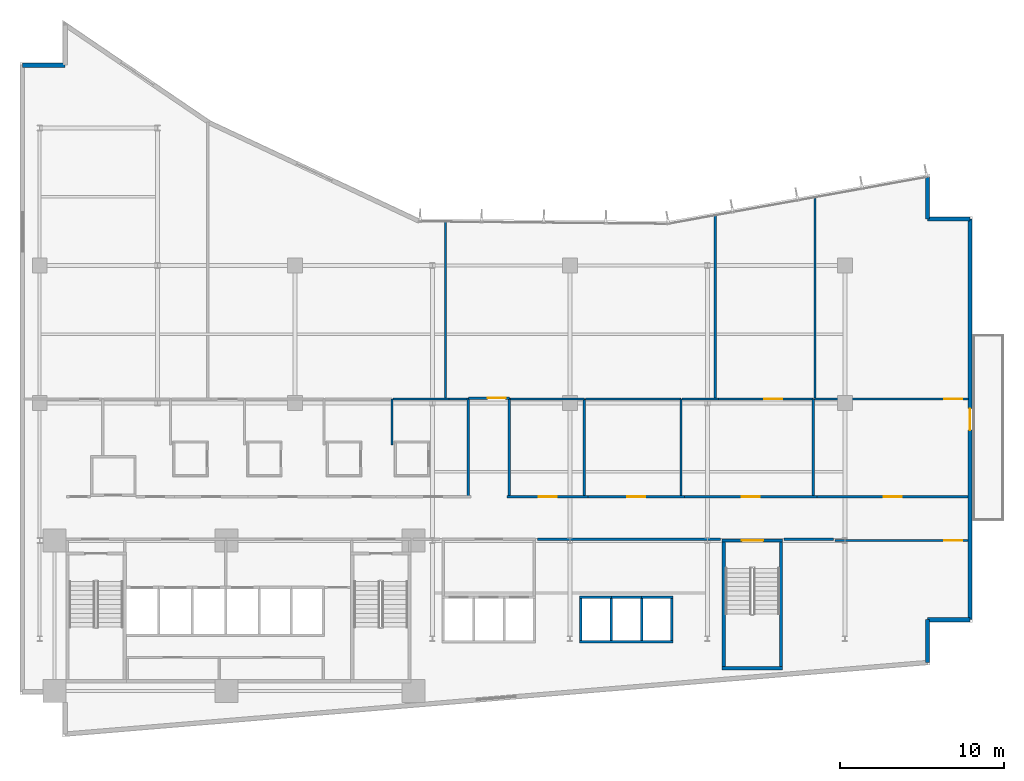
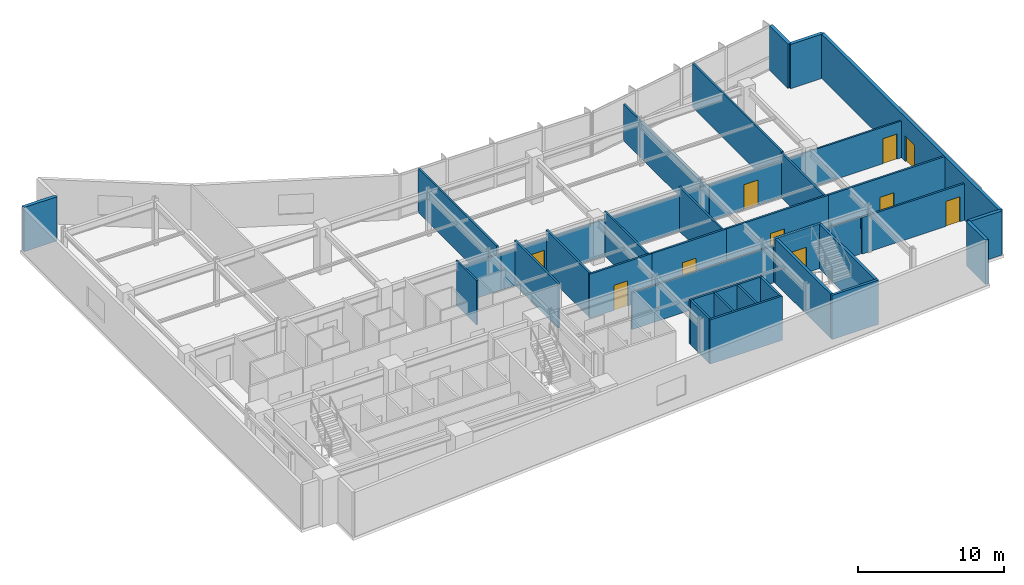
# One storey, part 12 of 18: 42 walls, 10 doors, 10 openings.
"""IFC4 building model written with IfcOpenShell, lengths in metres."""

import ifcopenshell
import ifcopenshell.guid

model = None  # the IFC model being written
_history = None  # IfcOwnerHistory: only IFC2X3 demands one
_inside = {}  # id of a spatial element -> (the spatial element, [elements in it])
_under = {}  # id of a project, library or spatial element -> (it, [spatial elements below it])
_declared = {}  # id of a project -> (the project, [libraries it declares])
_typed = {}  # id of a type object -> (the type object, [elements of that type])
_made_of = {}  # id of a material, layer set ... -> (it, [elements and type objects made of it])


def new_model(schema):
    """Start an empty IFC model of exactly this schema.

    Asked for "IFC4X3", IfcOpenShell would pick the latest addendum, in which some entities
    have other attributes; the version numbers below select the first issue.
    IFC2X3 requires an IfcOwnerHistory on every rooted entity: one is made here for all.
    """
    global model, _history
    if schema == "IFC4X3":
        model = ifcopenshell.file(schema_version=(4, 3, 0, 0))
    else:
        model = ifcopenshell.file(schema=schema)
    _inside.clear()
    _under.clear()
    _declared.clear()
    _typed.clear()
    _made_of.clear()
    _history = None
    if model.schema == "IFC2X3":
        org = make("IfcOrganization", Name="unknown")
        user = make(
            "IfcPersonAndOrganization",
            ThePerson=make("IfcPerson", FamilyName="unknown"),
            TheOrganization=org,
        )
        app = make(
            "IfcApplication",
            ApplicationDeveloper=org,
            Version="unknown",
            ApplicationFullName="unknown",
            ApplicationIdentifier="unknown",
        )
        _history = make(
            "IfcOwnerHistory",
            OwningUser=user,
            OwningApplication=app,
            ChangeAction="ADDED",
            CreationDate=0,
        )
    return model


def make(cls, **values):
    """One entity of the class cls with the attributes given. An attribute that is None is left unset."""
    return model.create_entity(
        cls, **{name: value for name, value in values.items() if value is not None}
    )


def rooted(cls, **values):
    """An entity with a GlobalId (a new one), such as an element, a storey or a relation."""
    return make(cls, GlobalId=ifcopenshell.guid.new(), OwnerHistory=_history, **values)


def si_unit(unit_type, name, prefix=None):
    """IfcSIUnit, for example si_unit("LENGTHUNIT", "METRE", prefix="MILLI")."""
    return make("IfcSIUnit", UnitType=unit_type, Prefix=prefix, Name=name)


def assignment(units):
    """IfcUnitAssignment: the units of a project."""
    return None if units is None else make("IfcUnitAssignment", Units=units)


def point(xyz):
    """IfcCartesianPoint."""
    return None if xyz is None else make("IfcCartesianPoint", Coordinates=xyz)


def direction(xyz):
    """IfcDirection."""
    return None if xyz is None else make("IfcDirection", DirectionRatios=xyz)


def frame(location, z_axis=None, x_axis=None):
    """IfcAxis2Placement3D, a coordinate frame: its origin and axes. An axis left out is left unset."""
    return make(
        "IfcAxis2Placement3D",
        Location=point(location),
        Axis=direction(z_axis),
        RefDirection=direction(x_axis),
    )


def frame_2d(location, x_axis=None):
    """IfcAxis2Placement2D, a coordinate frame in the plane: its origin and x axis."""
    return make(
        "IfcAxis2Placement2D", Location=point(location), RefDirection=direction(x_axis)
    )


def origin():
    """The frame at (0, 0, 0) with its axes left unset."""
    return frame((0.0, 0.0, 0.0))


def place(relative_to, where):
    """IfcLocalPlacement: puts the frame where relative to a parent placement (None: the world)."""
    return make(
        "IfcLocalPlacement", PlacementRelTo=relative_to, RelativePlacement=where
    )


def context(
    kind, dimensions, precision=None, world=None, true_north=None, identifier=None
):
    """IfcGeometricRepresentationContext, for example the 3D "Model" context."""
    return make(
        "IfcGeometricRepresentationContext",
        ContextIdentifier=identifier,
        ContextType=kind,
        CoordinateSpaceDimension=dimensions,
        Precision=precision,
        WorldCoordinateSystem=world,
        TrueNorth=true_north,
    )


def subcontext(parent, identifier, kind, view, scale=None):
    """IfcGeometricRepresentationSubContext, for example "Body" below "Model"."""
    return make(
        "IfcGeometricRepresentationSubContext",
        ContextIdentifier=identifier,
        ContextType=kind,
        ParentContext=parent,
        TargetScale=scale,
        TargetView=view,
    )


def project(units=None, contexts=None):
    """IfcProject with its units and contexts."""
    return rooted(
        "IfcProject",
        Name="project",
        RepresentationContexts=contexts,
        UnitsInContext=assignment(units),
    )


def spatial(cls, under=None, at=None, **own):
    """A site, building, storey or space (cls), placed at a placement, below another one or the project."""
    s = rooted(cls, ObjectPlacement=at, **own)
    if under is not None:
        _under.setdefault(under.id(), (under, []))[1].append(s)
    return s


def profile(cls, at=None, kind="AREA", **sizes):
    """A parametric profile (cls). Its sizes go by their IFC names, for example OverallWidth=200.0."""
    return make(cls, ProfileType=kind, Position=at, **sizes)


def rectangle(**sizes):
    """IfcRectangleProfileDef."""
    return profile("IfcRectangleProfileDef", **sizes)


def extrude(swept, where, along, depth):
    """IfcExtrudedAreaSolid: the profile swept, set in the frame where, extruded along a direction by depth."""
    return make(
        "IfcExtrudedAreaSolid",
        SweptArea=swept,
        Position=where,
        ExtrudedDirection=direction(along),
        Depth=depth,
    )


def shape(context_of_items, identifier, shape_type, items):
    """IfcShapeRepresentation: the items that make up one representation, for example the "Body"."""
    return make(
        "IfcShapeRepresentation",
        ContextOfItems=context_of_items,
        RepresentationIdentifier=identifier,
        RepresentationType=shape_type,
        Items=items,
    )


def material(Name=None, Category=None):
    """IfcMaterial."""
    return make("IfcMaterial", Name=Name, Category=Category)


def layer(
    of_material, thickness, ventilated=None, Name=None, Category=None, Priority=None
):
    """IfcMaterialLayer: one layer of a wall or slab, of a material (None: an air gap)."""
    return make(
        "IfcMaterialLayer",
        Material=of_material,
        LayerThickness=thickness,
        IsVentilated=ventilated,
        Name=Name,
        Category=Category,
        Priority=Priority,
    )


def layer_set(layers, Name=None):
    """IfcMaterialLayerSet."""
    return make("IfcMaterialLayerSet", MaterialLayers=layers, LayerSetName=Name)


def made_of(thing, what):
    """Note that an element or type object is made of a material, layer set ...; save() writes the relation."""
    if what is not None:
        _made_of.setdefault(what.id(), (what, []))[1].append(thing)
    return thing


def type_object(cls, material=None, **own):
    """A type object (cls), such as IfcWallType, which elements share."""
    return made_of(rooted(cls, **own), material)


def element(
    cls,
    number,
    at=None,
    inside=None,
    cuts=None,
    type_object=None,
    material=None,
    context=None,
    identifier="Body",
    shape_type=None,
    held_by="IfcProductDefinitionShape",
    body=None,
    shapes=None,
    **own,
):
    """One element of the class cls, such as IfcWall. Its Tag is "e" and its number.

    at: its placement. inside: the storey or other place that contains it. cuts: it is an
    opening in that element (IfcRelVoidsElement). A single representation is given by context,
    identifier, shape_type and body (its items); several are given by shapes. held_by: the class
    of the entity that holds the representations. save() writes the other relations.
    """
    e = rooted(cls, Tag="e%d" % number, ObjectPlacement=at, **own)
    if body is not None:
        shapes = [shape(context, identifier, shape_type, body)]
    if shapes is not None:
        e.Representation = make(held_by, Representations=shapes)
    if inside is not None:
        _inside.setdefault(inside.id(), (inside, []))[1].append(e)
    if cuts is not None:
        rooted(
            "IfcRelVoidsElement", RelatingBuildingElement=cuts, RelatedOpeningElement=e
        )
    if type_object is not None:
        _typed.setdefault(type_object.id(), (type_object, []))[1].append(e)
    return made_of(e, material)


def fill(opening, filler):
    """IfcRelFillsElement: the door or window that sits in an opening."""
    return rooted(
        "IfcRelFillsElement",
        RelatingOpeningElement=opening,
        RelatedBuildingElement=filler,
    )


def aggregate(whole, parts):
    """IfcRelAggregates: a whole, such as a stair, and the parts it consists of."""
    return rooted("IfcRelAggregates", RelatingObject=whole, RelatedObjects=parts)


def save(model, path):
    """Write the relations noted so far, then the file.

    IfcRelAggregates (storeys below a building ...), IfcRelContainedInSpatialStructure (elements
    in a storey), IfcRelDefinesByType, IfcRelAssociatesMaterial and IfcRelDeclares: one each for
    every whole, place, type object, material and project.
    """
    for whole, parts in _under.values():
        aggregate(whole, parts)
    for where, things in _inside.values():
        rooted(
            "IfcRelContainedInSpatialStructure",
            RelatedElements=things,
            RelatingStructure=where,
        )
    for kind, things in _typed.values():
        rooted("IfcRelDefinesByType", RelatedObjects=things, RelatingType=kind)
    for what, things in _made_of.values():
        rooted("IfcRelAssociatesMaterial", RelatedObjects=things, RelatingMaterial=what)
    for by, libraries in _declared.values():
        rooted("IfcRelDeclares", RelatingContext=by, RelatedDefinitions=libraries)
    model.write(path)


model = new_model("IFC4")

# Units and contexts
model_context = context("Model", 3, precision=1e-05, world=origin(), true_north=direction((0.0, 1.0)))
body_context = subcontext(model_context, "Body", "Model", "MODEL_VIEW")
ifc_project = project(units=[si_unit("LENGTHUNIT", "METRE"), si_unit("AREAUNIT", "SQUARE_METRE"), si_unit("VOLUMEUNIT", "CUBIC_METRE"), si_unit("PLANEANGLEUNIT", "RADIAN"), si_unit("MASSUNIT", "GRAM", prefix="KILO")], contexts=[model_context])

# Site, building, storey
site_placement = place(None, origin())
site = spatial("IfcSite", under=ifc_project, at=site_placement, CompositionType="ELEMENT")
building_placement = place(site_placement, origin())
building = spatial("IfcBuilding", under=site, at=building_placement, Name="Varnakote Quay Hospital", CompositionType="ELEMENT")
storey_placement = place(building_placement, frame((0.0, 0.0, 73.85009765625)))
storey = spatial("IfcBuildingStorey", under=building, at=storey_placement, Name="L18", CompositionType="ELEMENT", Elevation=73.85009765625)

# Walls
ifc_material_1 = material(Name="Fire-rated acoustic gypsum stud wall", Category="gypsum")
ifc_layer_1 = layer(ifc_material_1, 0.159912109375)
ifc_layer_set_1 = layer_set([ifc_layer_1], Name="Fire-rated acoustic gypsum stud wall")
wall_type_1 = type_object("IfcWallType", Name="WL-COMP-160", PredefinedType="PARTITIONING", material=ifc_layer_set_1)
wall_1_placement = place(storey_placement, frame((31.6298828125, 12.080078125, 0.0), z_axis=(0.0, 0.0, 1.0), x_axis=(1.0, 0.0, 0.0)))
element("IfcWall", 1, at=wall_1_placement, inside=storey, type_object=wall_type_1, Name="L18 Corridor South Gap Wall", PredefinedType="PARTITIONING", context=body_context, shape_type="SweptSolid", body=[
    extrude(rectangle(XDim=11.180908203125, YDim=0.159912109375, at=frame_2d((5.59033203125, 0.0))), origin(), (0.0, 0.0, 1.0), 3.072998046875),
])
wall_2_placement = place(storey_placement, frame((46.689208984375, 12.080078125, 0.0), z_axis=(0.0, 0.0, 1.0), x_axis=(1.0, 0.0, 0.0)))
element("IfcWall", 2, at=wall_2_placement, inside=storey, type_object=wall_type_1, Name="L18 Corridor South Gap Wall", PredefinedType="PARTITIONING", context=body_context, shape_type="SweptSolid", body=[
    extrude(rectangle(XDim=3.0107421875, YDim=0.159912109375, at=frame_2d((1.50537109375, 0.0))), origin(), (0.0, 0.0, 1.0), 3.072998046875),
])
ifc_material_2 = material(Name="Precast concrete N50 (f'c 50 MPa)", Category="concrete")
ifc_layer_2 = layer(ifc_material_2, 0.260009765625)
ifc_layer_set_2 = layer_set([ifc_layer_2], Name="Precast concrete N50 (f'c 50 MPa)")
wall_type_2 = type_object("IfcWallType", Name="WL-EXT-BRICK-260", PredefinedType="STANDARD", material=ifc_layer_set_2)
wall_3_placement = place(storey_placement, frame((55.43994140625, 4.54736328125, 0.0), z_axis=(0.0, 0.0, 1.0), x_axis=(0.0, 1.0, 0.0)))
element("IfcWall", 3, at=wall_3_placement, inside=storey, type_object=wall_type_2, Name="L18 Brick-Faced Precast Exterior Wall", PredefinedType="STANDARD", context=body_context, shape_type="SweptSolid", body=[
    extrude(rectangle(XDim=2.612548828125, YDim=0.260009765625, at=frame_2d((1.30615234375, 0.0))), origin(), (0.0, 0.0, 1.0), 3.7099609375),
])
wall_4_placement = place(storey_placement, frame((55.43994140625, 7.159912109375, 0.0), z_axis=(0.0, 0.0, 1.0), x_axis=(1.0, 0.0, 0.0)))
element("IfcWall", 4, at=wall_4_placement, inside=storey, type_object=wall_type_2, Name="L18 Brick-Faced Precast Exterior Wall", PredefinedType="STANDARD", context=body_context, shape_type="SweptSolid", body=[
    extrude(rectangle(XDim=2.60009765625, YDim=0.260009765625, at=frame_2d((1.300048828125, 0.0))), origin(), (0.0, 0.0, 1.0), 3.7099609375),
])

# Wall, opening, door
wall_5_placement = place(storey_placement, frame((58.0400390625, 7.159912109375, 0.0), z_axis=(0.0, 0.0, 1.0), x_axis=(0.0, 1.0, 0.0)))
wall_5 = element("IfcWall", 5, at=wall_5_placement, inside=storey, type_object=wall_type_2, Name="L18 Healing Terrace Portal Brick Wall", PredefinedType="STANDARD", context=body_context, shape_type="SweptSolid", body=[
    extrude(rectangle(XDim=24.47998046875, YDim=0.260009765625, at=frame_2d((12.239990234375, 0.0))), origin(), (0.0, 0.0, 1.0), 3.7099609375),
])
opening_1_placement = place(wall_5_placement, frame((11.590087890625, 0.0, 0.0)))
opening_1 = element("IfcOpeningElement", 6, at=opening_1_placement, cuts=wall_5, Name="Opening DT-L18", PredefinedType="OPENING", context=body_context, shape_type="SweptSolid", body=[
    extrude(rectangle(XDim=1.300048828125, YDim=2.14990234375, at=frame_2d((0.64990234375, 1.074951171875))), frame((0.0, 0.139892578125, 0.0), z_axis=(0.0, -1.0, 0.0), x_axis=(1.0, 0.0, 0.0)), (0.0, 0.0, 1.0), 0.280029296875),
])
ifc_material_3 = material(Name="Anodised aluminium glazed terrace door", Category="aluminium")
door_type_1 = type_object("IfcDoorType", Name="DR-EXT-TERR-1300x2150", OperationType="NOTDEFINED", PredefinedType="DOOR", material=ifc_material_3)
door_1_placement = place(opening_1_placement, origin())
door_1 = element("IfcDoor", 7, at=door_1_placement, inside=storey, type_object=door_type_1, Name="L18 Waterfront Healing Terrace Door", OperationType="SINGLE_SWING_LEFT", OverallHeight=2.14990234375, OverallWidth=1.300048828125, PredefinedType="DOOR", context=body_context, shape_type="SweptSolid", body=[
    extrude(rectangle(XDim=1.300048828125, YDim=2.14990234375, at=frame_2d((0.64990234375, 1.074951171875))), frame((0.0, 0.02490234375, 0.0), z_axis=(0.0, -1.0, 0.0), x_axis=(1.0, 0.0, 0.0)), (0.0, 0.0, 1.0), 0.050048828125),
])
fill(opening_1, door_1)

# Walls
wall_6_placement = place(storey_placement, frame((58.0400390625, 31.639892578125, 0.0), z_axis=(0.0, 0.0, 1.0), x_axis=(-1.0, 0.0, 0.0)))
element("IfcWall", 8, at=wall_6_placement, inside=storey, type_object=wall_type_2, Name="L18 Brick-Faced Precast Exterior Wall", PredefinedType="STANDARD", context=body_context, shape_type="SweptSolid", body=[
    extrude(rectangle(XDim=2.60009765625, YDim=0.260009765625, at=frame_2d((1.300048828125, 0.0))), origin(), (0.0, 0.0, 1.0), 3.7099609375),
])
wall_7_placement = place(storey_placement, frame((55.43994140625, 31.639892578125, 0.0), z_axis=(0.0, 0.0, 1.0), x_axis=(0.0, 1.0, 0.0)))
element("IfcWall", 9, at=wall_7_placement, inside=storey, type_object=wall_type_2, Name="L18 Brick-Faced Precast Exterior Wall", PredefinedType="STANDARD", context=body_context, shape_type="SweptSolid", body=[
    extrude(rectangle(XDim=2.568603515625, YDim=0.260009765625, at=frame_2d((1.2841796875, 0.0))), origin(), (0.0, 0.0, 1.0), 3.7099609375),
])
wall_8_placement = place(storey_placement, frame((2.760009765625, 41.0400390625, 0.0), z_axis=(0.0, 0.0, 1.0), x_axis=(-1.0, 0.0, 0.0)))
element("IfcWall", 10, at=wall_8_placement, inside=storey, type_object=wall_type_2, Name="L18 Brick-Faced Precast Exterior Wall", PredefinedType="STANDARD", context=body_context, shape_type="SweptSolid", body=[
    extrude(rectangle(XDim=2.60009765625, YDim=0.260009765625, at=frame_2d((1.300048828125, 0.0))), origin(), (0.0, 0.0, 1.0), 3.7099609375),
])
ifc_material_4 = material(Name="Concrete N50 (f'c 50 MPa)", Category="concrete")
ifc_layer_3 = layer(ifc_material_4, 0.14990234375)
ifc_layer_set_3 = layer_set([ifc_layer_3], Name="Concrete N50 (f'c 50 MPa)")
wall_type_3 = type_object("IfcWallType", Name="WL-SHAFT-N50-150", PredefinedType="SHEAR", material=ifc_layer_set_3)
for number, where, z_axis, x_axis, name in (
    (11, (36.125, 5.89990234375, 0.0), (0.0, 0.0, 1.0), (0.0, 1.0, 0.0), "L18 LF-PM1 Hoistway Divider Wall"),
    (12, (37.97509765625, 5.89990234375, 0.0), (0.0, 0.0, 1.0), (0.0, 1.0, 0.0), "L18 LF-PM2 Hoistway Divider Wall"),
):
    element("IfcWall", number, at=place(storey_placement, frame(where, z_axis=z_axis, x_axis=x_axis)), inside=storey, type_object=wall_type_3, Name=name, PredefinedType="SHEAR", context=body_context, shape_type="SweptSolid", body=[
        extrude(rectangle(XDim=2.550048828125, YDim=0.14990234375, at=frame_2d((1.27490234375, 0.0))), origin(), (0.0, 0.0, 1.0), 3.7099609375),
    ])
ifc_material_5 = material(Name="Concrete N50 (f'c 50 MPa)", Category="concrete")
ifc_layer_4 = layer(ifc_material_5, 0.159912109375)
ifc_layer_set_4 = layer_set([ifc_layer_4], Name="Concrete N50 (f'c 50 MPa)")
wall_type_4 = type_object("IfcWallType", Name="WL-SHAFT-N50-160", PredefinedType="SHEAR", material=ifc_layer_set_4)
wall_9_placement = place(storey_placement, frame((34.18994140625, 5.820068359375, 0.0), z_axis=(0.0, 0.0, 1.0), x_axis=(1.0, 0.0, 0.0)))
element("IfcWall", 13, at=wall_9_placement, inside=storey, type_object=wall_type_4, Name="L18 MID Lift Bank Back Shear Wall", PredefinedType="SHEAR", context=body_context, shape_type="SweptSolid", body=[
    extrude(rectangle(XDim=5.719970703125, YDim=0.159912109375, at=frame_2d((2.85986328125, 0.0))), origin(), (0.0, 0.0, 1.0), 3.7099609375),
])
for number, where, z_axis, x_axis, name in (
    (14, (34.27001953125, 5.89990234375, 0.0), (0.0, 0.0, 1.0), (0.0, 1.0, 0.0), "L18 MID Lift Bank West Shear Wall"),
    (15, (39.830078125, 5.89990234375, 0.0), (0.0, 0.0, 1.0), (0.0, 1.0, 0.0), "L18 MID Lift Bank East Shear Wall"),
):
    element("IfcWall", number, at=place(storey_placement, frame(where, z_axis=z_axis, x_axis=x_axis)), inside=storey, type_object=wall_type_4, Name=name, PredefinedType="SHEAR", context=body_context, shape_type="SweptSolid", body=[
        extrude(rectangle(XDim=2.550048828125, YDim=0.159912109375, at=frame_2d((1.27490234375, 0.0))), origin(), (0.0, 0.0, 1.0), 3.7099609375),
    ])
wall_10_placement = place(storey_placement, frame((34.18994140625, 8.530029296875, 0.0), z_axis=(0.0, 0.0, 1.0), x_axis=(1.0, 0.0, 0.0)))
element("IfcWall", 16, at=wall_10_placement, inside=storey, type_object=wall_type_4, Name="L18 LF-PM1 Hoistway Front Wall", PredefinedType="SHEAR", context=body_context, shape_type="SweptSolid", body=[
    extrude(rectangle(XDim=1.93505859375, YDim=0.159912109375, at=frame_2d((0.967529296875, 0.0))), origin(), (0.0, 0.0, 1.0), 3.7099609375),
])
wall_11_placement = place(storey_placement, frame((36.125, 8.530029296875, 0.0), z_axis=(0.0, 0.0, 1.0), x_axis=(1.0, 0.0, 0.0)))
element("IfcWall", 17, at=wall_11_placement, inside=storey, type_object=wall_type_4, Name="L18 LF-PM2 Hoistway Front Wall", PredefinedType="SHEAR", context=body_context, shape_type="SweptSolid", body=[
    extrude(rectangle(XDim=1.85009765625, YDim=0.159912109375, at=frame_2d((0.925048828125, 0.0))), origin(), (0.0, 0.0, 1.0), 3.7099609375),
])
wall_12_placement = place(storey_placement, frame((37.97509765625, 8.530029296875, 0.0), z_axis=(0.0, 0.0, 1.0), x_axis=(1.0, 0.0, 0.0)))
element("IfcWall", 18, at=wall_12_placement, inside=storey, type_object=wall_type_4, Name="L18 LF-PM3 Hoistway Front Wall", PredefinedType="SHEAR", context=body_context, shape_type="SweptSolid", body=[
    extrude(rectangle(XDim=1.934814453125, YDim=0.159912109375, at=frame_2d((0.96728515625, 0.0))), origin(), (0.0, 0.0, 1.0), 3.7099609375),
])
ifc_material_6 = material(Name="Concrete N50 (f'c 50 MPa)", Category="concrete")
ifc_layer_5 = layer(ifc_material_6, 0.199951171875)
ifc_layer_set_5 = layer_set([ifc_layer_5], Name="Concrete N50 (f'c 50 MPa)")
wall_type_5 = type_object("IfcWallType", Name="WL-SHAFT-N50-200", PredefinedType="SHEAR", material=ifc_layer_set_5)
wall_13_placement = place(storey_placement, frame((42.89990234375, 4.199951171875, 0.0), z_axis=(0.0, 0.0, 1.0), x_axis=(1.0, 0.0, 0.0)))
element("IfcWall", 19, at=wall_13_placement, inside=storey, type_object=wall_type_5, Name="L18 Stair ST3 South Shaft Wall", PredefinedType="SHEAR", context=body_context, shape_type="SweptSolid", body=[
    extrude(rectangle(XDim=3.7001953125, YDim=0.199951171875, at=frame_2d((1.85009765625, 0.0))), origin(), (0.0, 0.0, 1.0), 3.7099609375),
])
for number, where, z_axis, x_axis, name in (
    (20, (43.0, 4.300048828125, 0.0), (0.0, 0.0, 1.0), (0.0, 1.0, 0.0), "L18 Stair ST3 West Shaft Wall"),
    (21, (46.5, 4.300048828125, 0.0), (0.0, 0.0, 1.0), (0.0, 1.0, 0.0), "L18 Stair ST3 East Shaft Wall"),
):
    element("IfcWall", number, at=place(storey_placement, frame(where, z_axis=z_axis, x_axis=x_axis)), inside=storey, type_object=wall_type_5, Name=name, PredefinedType="SHEAR", context=body_context, shape_type="SweptSolid", body=[
        extrude(rectangle(XDim=7.599853515625, YDim=0.199951171875, at=frame_2d((3.7998046875, 0.0))), origin(), (0.0, 0.0, 1.0), 3.7099609375),
    ])

# Wall, opening, door
wall_14_placement = place(storey_placement, frame((42.89990234375, 12.0, 0.0), z_axis=(0.0, 0.0, 1.0), x_axis=(1.0, 0.0, 0.0)))
wall_14 = element("IfcWall", 22, at=wall_14_placement, inside=storey, type_object=wall_type_5, Name="L18 Stair ST3 Exit Wall", PredefinedType="SHEAR", context=body_context, shape_type="SweptSolid", body=[
    extrude(rectangle(XDim=3.7001953125, YDim=0.199951171875, at=frame_2d((1.85009765625, 0.0))), origin(), (0.0, 0.0, 1.0), 3.7099609375),
])
opening_2_placement = place(wall_14_placement, frame((1.199951171875, 0.0, 0.0)))
opening_2 = element("IfcOpeningElement", 23, at=opening_2_placement, cuts=wall_14, Name="Opening D-ST3-L18", PredefinedType="OPENING", context=body_context, shape_type="SweptSolid", body=[
    extrude(rectangle(XDim=1.300048828125, YDim=2.14990234375, at=frame_2d((0.64990234375, 1.074951171875))), frame((0.0, 0.10986328125, 0.0), z_axis=(0.0, -1.0, 0.0), x_axis=(1.0, 0.0, 0.0)), (0.0, 0.0, 1.0), 0.219970703125),
])
ifc_material_7 = material(Name="Fire-rated ceramic-glazed timber exit door", Category="wood")
door_type_2 = type_object("IfcDoorType", Name="DR-STAIR-FD60S-1300x2150", OperationType="NOTDEFINED", PredefinedType="DOOR", material=ifc_material_7)
door_2_placement = place(opening_2_placement, origin())
door_2 = element("IfcDoor", 24, at=door_2_placement, inside=storey, type_object=door_type_2, Name="L18 Stair ST3 Fire Exit Door", OperationType="SINGLE_SWING_LEFT", OverallHeight=2.14990234375, OverallWidth=1.300048828125, PredefinedType="DOOR", context=body_context, shape_type="SweptSolid", body=[
    extrude(rectangle(XDim=1.300048828125, YDim=2.14990234375, at=frame_2d((0.64990234375, 1.074951171875))), frame((0.0, 0.02490234375, 0.0), z_axis=(0.0, -1.0, 0.0), x_axis=(1.0, 0.0, 0.0)), (0.0, 0.0, 1.0), 0.050048828125),
])
fill(opening_2, door_2)

# Walls
ifc_material_8 = material(Name="Smoke-proof clinical partition", Category="gypsum")
ifc_layer_6 = layer(ifc_material_8, 0.135009765625)
ifc_layer_set_6 = layer_set([ifc_layer_6], Name="Smoke-proof clinical partition")
wall_type_6 = type_object("IfcWallType", Name="WL-SMOKE-135", PredefinedType="PARTITIONING", material=ifc_layer_set_6)
wall_15_placement = place(storey_placement, frame((22.72998046875, 17.83251953125, 0.0), z_axis=(0.0, 0.0, 1.0), x_axis=(0.0, 1.0, 0.0)))
element("IfcWall", 25, at=wall_15_placement, inside=storey, type_object=wall_type_6, Name="L18 Clinical Interior Partition", PredefinedType="PARTITIONING", context=body_context, shape_type="SweptSolid", body=[
    extrude(rectangle(XDim=2.807373046875, YDim=0.135009765625, at=frame_2d((1.40380859375, 0.0))), origin(), (0.0, 0.0, 1.0), 3.7099609375),
])
wall_16_placement = place(storey_placement, frame((26.197509765625, 20.639892578125, 0.0), z_axis=(0.0, 0.0, 1.0), x_axis=(-1.0, 0.0, 0.0)))
element("IfcWall", 26, at=wall_16_placement, inside=storey, type_object=wall_type_6, Name="L18 Clinical Interior Partition", PredefinedType="PARTITIONING", context=body_context, shape_type="SweptSolid", body=[
    extrude(rectangle(XDim=3.409912109375, YDim=0.135009765625, at=frame_2d((1.705078125, 0.0))), origin(), (0.0, 0.0, 1.0), 3.072998046875),
])
wall_17_placement = place(storey_placement, frame((27.320068359375, 20.639892578125, 0.0), z_axis=(0.0, 0.0, 1.0), x_axis=(-1.0, 0.0, 0.0)))
element("IfcWall", 27, at=wall_17_placement, inside=storey, type_object=wall_type_6, Name="L18 Clinical Interior Partition", PredefinedType="PARTITIONING", context=body_context, shape_type="SweptSolid", body=[
    extrude(rectangle(XDim=1.12060546875, YDim=0.135009765625, at=frame_2d((0.560302734375, 0.0))), origin(), (0.0, 0.0, 1.0), 3.072998046875),
])
wall_18_placement = place(storey_placement, frame((34.47998046875, 14.760009765625, 0.0), z_axis=(0.0, 0.0, 1.0), x_axis=(0.0, 1.0, 0.0)))
element("IfcWall", 28, at=wall_18_placement, inside=storey, type_object=wall_type_6, Name="L18 Clinical Interior Partition", PredefinedType="PARTITIONING", context=body_context, shape_type="SweptSolid", body=[
    extrude(rectangle(XDim=5.8798828125, YDim=0.135009765625, at=frame_2d((2.93994140625, 0.0))), origin(), (0.0, 0.0, 1.0), 3.7099609375),
])
wall_19_placement = place(storey_placement, frame((34.47998046875, 20.639892578125, 0.0), z_axis=(0.0, 0.0, 1.0), x_axis=(-1.0, 0.0, 0.0)))
element("IfcWall", 29, at=wall_19_placement, inside=storey, type_object=wall_type_6, Name="L18 Clinical Interior Partition", PredefinedType="PARTITIONING", context=body_context, shape_type="SweptSolid", body=[
    extrude(rectangle(XDim=4.514892578125, YDim=0.135009765625, at=frame_2d((2.25732421875, 0.0))), origin(), (0.0, 0.0, 1.0), 3.072998046875),
])
wall_20_placement = place(storey_placement, frame((40.3798828125, 14.760009765625, 0.0), z_axis=(0.0, 0.0, 1.0), x_axis=(0.0, 1.0, 0.0)))
element("IfcWall", 30, at=wall_20_placement, inside=storey, type_object=wall_type_6, Name="L18 Clinical Interior Partition", PredefinedType="PARTITIONING", context=body_context, shape_type="SweptSolid", body=[
    extrude(rectangle(XDim=5.8798828125, YDim=0.135009765625, at=frame_2d((2.93994140625, 0.0))), origin(), (0.0, 0.0, 1.0), 3.7099609375),
])
wall_21_placement = place(storey_placement, frame((40.3798828125, 20.639892578125, 0.0), z_axis=(0.0, 0.0, 1.0), x_axis=(-1.0, 0.0, 0.0)))
element("IfcWall", 31, at=wall_21_placement, inside=storey, type_object=wall_type_6, Name="L18 Clinical Interior Partition", PredefinedType="PARTITIONING", context=body_context, shape_type="SweptSolid", body=[
    extrude(rectangle(XDim=5.84228515625, YDim=0.135009765625, at=frame_2d((2.921142578125, 0.0))), origin(), (0.0, 0.0, 1.0), 3.072998046875),
])
wall_22_placement = place(storey_placement, frame((48.469970703125, 14.760009765625, 0.0), z_axis=(0.0, 0.0, 1.0), x_axis=(0.0, 1.0, 0.0)))
element("IfcWall", 32, at=wall_22_placement, inside=storey, type_object=wall_type_6, Name="L18 Clinical Interior Partition", PredefinedType="PARTITIONING", context=body_context, shape_type="SweptSolid", body=[
    extrude(rectangle(XDim=5.8798828125, YDim=0.135009765625, at=frame_2d((2.93994140625, 0.0))), origin(), (0.0, 0.0, 1.0), 3.7099609375),
])
wall_23_placement = place(storey_placement, frame((42.6875, 20.639892578125, 0.0), z_axis=(0.0, 0.0, 1.0), x_axis=(-1.0, 0.0, 0.0)))
element("IfcWall", 33, at=wall_23_placement, inside=storey, type_object=wall_type_6, Name="L18 Clinical Interior Partition", PredefinedType="PARTITIONING", context=body_context, shape_type="SweptSolid", body=[
    extrude(rectangle(XDim=2.25, YDim=0.135009765625, at=frame_2d((1.125, 0.0))), origin(), (0.0, 0.0, 1.0), 3.072998046875),
])

# Wall, opening, door
wall_24_placement = place(storey_placement, frame((48.469970703125, 20.639892578125, 0.0), z_axis=(0.0, 0.0, 1.0), x_axis=(-1.0, 0.0, 0.0)))
wall_24 = element("IfcWall", 34, at=wall_24_placement, inside=storey, type_object=wall_type_6, Name="L18 Clinical Interior Partition", PredefinedType="PARTITIONING", context=body_context, shape_type="SweptSolid", body=[
    extrude(rectangle(XDim=5.780517578125, YDim=0.135009765625, at=frame_2d((2.89013671875, 0.0))), origin(), (0.0, 0.0, 1.0), 3.072998046875),
])
opening_3_placement = place(wall_24_placement, frame((1.912109375, 0.0, 0.0)))
opening_3 = element("IfcOpeningElement", 35, at=opening_3_placement, cuts=wall_24, Name="Opening D-L18-MD10", PredefinedType="OPENING", context=body_context, shape_type="SweptSolid", body=[
    extrude(rectangle(XDim=1.10009765625, YDim=2.10009765625, at=frame_2d((0.550048828125, 1.050048828125))), frame((0.0, 0.077392578125, 0.0), z_axis=(0.0, -1.0, 0.0), x_axis=(1.0, 0.0, 0.0)), (0.0, 0.0, 1.0), 0.155029296875),
])
ifc_material_9 = material(Name="Acoustic timber clinical consult door", Category="wood")
door_type_3 = type_object("IfcDoorType", Name="DR-CLIN-FD30S-1100x2100", OperationType="NOTDEFINED", PredefinedType="DOOR", material=ifc_material_9)
door_3_placement = place(opening_3_placement, origin())
door_3 = element("IfcDoor", 36, at=door_3_placement, inside=storey, type_object=door_type_3, Name="L18 Allied Health Teaching Laboratory Door", OperationType="SINGLE_SWING_RIGHT", OverallHeight=2.10009765625, OverallWidth=1.10009765625, PredefinedType="DOOR", context=body_context, shape_type="SweptSolid", body=[
    extrude(rectangle(XDim=1.10009765625, YDim=2.10009765625, at=frame_2d((0.550048828125, 1.050048828125))), frame((0.0, 0.02490234375, 0.0), z_axis=(0.0, -1.0, 0.0), x_axis=(1.0, 0.0, 0.0)), (0.0, 0.0, 1.0), 0.050048828125),
])
fill(opening_3, door_3)

wall_25_placement = place(storey_placement, frame((57.9599609375, 20.639892578125, 0.0), z_axis=(0.0, 0.0, 1.0), x_axis=(-1.0, 0.0, 0.0)))
wall_25 = element("IfcWall", 37, at=wall_25_placement, inside=storey, type_object=wall_type_6, Name="L18 Clinical Interior Partition", PredefinedType="PARTITIONING", context=body_context, shape_type="SweptSolid", body=[
    extrude(rectangle(XDim=9.432373046875, YDim=0.135009765625, at=frame_2d((4.71630859375, 0.0))), origin(), (0.0, 0.0, 1.0), 3.072998046875),
])
opening_4_placement = place(wall_25_placement, frame((0.398193359375, 0.0, 0.0)))
opening_4 = element("IfcOpeningElement", 38, at=opening_4_placement, cuts=wall_25, Name="Opening D-L18-DLNG", PredefinedType="OPENING", context=body_context, shape_type="SweptSolid", body=[
    extrude(rectangle(XDim=1.10009765625, YDim=2.10009765625, at=frame_2d((0.550048828125, 1.050048828125))), frame((0.0, 0.077392578125, 0.0), z_axis=(0.0, -1.0, 0.0), x_axis=(1.0, 0.0, 0.0)), (0.0, 0.0, 1.0), 0.155029296875),
])
door_4_placement = place(opening_4_placement, origin())
door_4 = element("IfcDoor", 39, at=door_4_placement, inside=storey, type_object=door_type_3, Name="L18 Waterfront Patient & Family Dayroom Door", OperationType="SINGLE_SWING_LEFT", OverallHeight=2.10009765625, OverallWidth=1.10009765625, PredefinedType="DOOR", context=body_context, shape_type="SweptSolid", body=[
    extrude(rectangle(XDim=1.10009765625, YDim=2.10009765625, at=frame_2d((0.550048828125, 1.050048828125))), frame((0.0, 0.02490234375, 0.0), z_axis=(0.0, -1.0, 0.0), x_axis=(1.0, 0.0, 0.0)), (0.0, 0.0, 1.0), 0.050048828125),
])
fill(opening_4, door_4)

# Walls
wall_26_placement = place(storey_placement, frame((25.989990234375, 20.697509765625, 0.0), z_axis=(0.0, 0.0, 1.0), x_axis=(0.0, 1.0, 0.0)))
element("IfcWall", 40, at=wall_26_placement, inside=storey, type_object=wall_type_6, Name="L18 Clinical Interior Partition", PredefinedType="PARTITIONING", context=body_context, shape_type="SweptSolid", body=[
    extrude(rectangle(XDim=10.779296875, YDim=0.135009765625, at=frame_2d((5.3896484375, 0.0))), origin(), (0.0, 0.0, 1.0), 3.7099609375),
])
wall_27_placement = place(storey_placement, frame((42.47998046875, 20.697509765625, 0.0), z_axis=(0.0, 0.0, 1.0), x_axis=(0.0, 1.0, 0.0)))
element("IfcWall", 41, at=wall_27_placement, inside=storey, type_object=wall_type_6, Name="L18 Clinical Interior Partition", PredefinedType="PARTITIONING", context=body_context, shape_type="SweptSolid", body=[
    extrude(rectangle(XDim=11.168701171875, YDim=0.135009765625, at=frame_2d((5.58447265625, 0.0))), origin(), (0.0, 0.0, 1.0), 3.072998046875),
])
wall_28_placement = place(storey_placement, frame((48.570068359375, 20.697509765625, 0.0), z_axis=(0.0, 0.0, 1.0), x_axis=(0.0, 1.0, 0.0)))
element("IfcWall", 42, at=wall_28_placement, inside=storey, type_object=wall_type_6, Name="L18 Clinical Interior Partition", PredefinedType="PARTITIONING", context=body_context, shape_type="SweptSolid", body=[
    extrude(rectangle(XDim=12.269287109375, YDim=0.135009765625, at=frame_2d((6.134765625, 0.0))), origin(), (0.0, 0.0, 1.0), 3.7099609375),
])

# Wall, opening, door
ifc_material_10 = material(Name="Fire-rated clinical gypsum partition", Category="gypsum")
ifc_layer_7 = layer(ifc_material_10, 0.14990234375)
ifc_layer_set_7 = layer_set([ifc_layer_7], Name="Fire-rated clinical gypsum partition")
wall_type_7 = type_object("IfcWallType", Name="WL-WARD-150", PredefinedType="PARTITIONING", material=ifc_layer_set_7)
wall_29_placement = place(storey_placement, frame((57.919921875, 12.0, 0.0), z_axis=(0.0, 0.0, 1.0), x_axis=(-1.0, 0.0, 0.0)))
wall_29 = element("IfcWall", 43, at=wall_29_placement, inside=storey, type_object=wall_type_7, Name="L18 Clinical Interior Partition", PredefinedType="PARTITIONING", context=body_context, shape_type="SweptSolid", body=[
    extrude(rectangle(XDim=8.119873046875, YDim=0.14990234375, at=frame_2d((4.06005859375, 0.0))), origin(), (0.0, 0.0, 1.0), 3.072998046875),
])
opening_5_placement = place(wall_29_placement, frame((0.365478515625, 0.0, 0.0)))
opening_5 = element("IfcOpeningElement", 44, at=opening_5_placement, cuts=wall_29, Name="Opening D-L18-SE1", PredefinedType="OPENING", context=body_context, shape_type="SweptSolid", body=[
    extrude(rectangle(XDim=1.10009765625, YDim=2.10009765625, at=frame_2d((0.550048828125, 1.050048828125))), frame((0.0, 0.0849609375, 0.0), z_axis=(0.0, -1.0, 0.0), x_axis=(1.0, 0.0, 0.0)), (0.0, 0.0, 1.0), 0.169921875),
])
door_5_placement = place(opening_5_placement, origin())
door_5 = element("IfcDoor", 45, at=door_5_placement, inside=storey, type_object=door_type_3, Name="L18 Clinical Biomedical Engineering Office Door", OperationType="SINGLE_SWING_RIGHT", OverallHeight=2.10009765625, OverallWidth=1.10009765625, PredefinedType="DOOR", context=body_context, shape_type="SweptSolid", body=[
    extrude(rectangle(XDim=1.10009765625, YDim=2.10009765625, at=frame_2d((0.550048828125, 1.050048828125))), frame((0.0, 0.02490234375, 0.0), z_axis=(0.0, -1.0, 0.0), x_axis=(1.0, 0.0, 0.0)), (0.0, 0.0, 1.0), 0.050048828125),
])
fill(opening_5, door_5)

wall_30_placement = place(storey_placement, frame((34.7060546875, 14.679931640625, 0.0), z_axis=(0.0, 0.0, 1.0), x_axis=(-1.0, 0.0, 0.0)))
wall_30 = element("IfcWall", 46, at=wall_30_placement, inside=storey, type_object=wall_type_7, Name="L18 Clinical Interior Partition", PredefinedType="PARTITIONING", context=body_context, shape_type="SweptSolid", body=[
    extrude(rectangle(XDim=4.9521484375, YDim=0.14990234375, at=frame_2d((2.47607421875, 0.0))), origin(), (0.0, 0.0, 1.0), 3.7099609375),
])
opening_6_placement = place(wall_30_placement, frame((1.926025390625, 0.0, 0.0)))
opening_6 = element("IfcOpeningElement", 47, at=opening_6_placement, cuts=wall_30, Name="Opening D-L18-MD03", PredefinedType="OPENING", context=body_context, shape_type="SweptSolid", body=[
    extrude(rectangle(XDim=1.10009765625, YDim=2.10009765625, at=frame_2d((0.550048828125, 1.050048828125))), frame((0.0, 0.0849609375, 0.0), z_axis=(0.0, -1.0, 0.0), x_axis=(1.0, 0.0, 0.0)), (0.0, 0.0, 1.0), 0.169921875),
])
door_6_placement = place(opening_6_placement, origin())
door_6 = element("IfcDoor", 48, at=door_6_placement, inside=storey, type_object=door_type_3, Name="L18 Nursing Education Meeting Room Door", OperationType="SINGLE_SWING_LEFT", OverallHeight=2.10009765625, OverallWidth=1.10009765625, PredefinedType="DOOR", context=body_context, shape_type="SweptSolid", body=[
    extrude(rectangle(XDim=1.10009765625, YDim=2.10009765625, at=frame_2d((0.550048828125, 1.050048828125))), frame((0.0, 0.02490234375, 0.0), z_axis=(0.0, -1.0, 0.0), x_axis=(1.0, 0.0, 0.0)), (0.0, 0.0, 1.0), 0.050048828125),
])
fill(opening_6, door_6)

wall_31_placement = place(storey_placement, frame((40.60595703125, 14.679931640625, 0.0), z_axis=(0.0, 0.0, 1.0), x_axis=(-1.0, 0.0, 0.0)))
wall_31 = element("IfcWall", 49, at=wall_31_placement, inside=storey, type_object=wall_type_7, Name="L18 Clinical Interior Partition", PredefinedType="PARTITIONING", context=body_context, shape_type="SweptSolid", body=[
    extrude(rectangle(XDim=5.89794921875, YDim=0.14990234375, at=frame_2d((2.948974609375, 0.0))), origin(), (0.0, 0.0, 1.0), 3.7099609375),
])
opening_7_placement = place(wall_31_placement, frame((2.39892578125, 0.0, 0.0)))
opening_7 = element("IfcOpeningElement", 50, at=opening_7_placement, cuts=wall_31, Name="Opening D-L18-MD04", PredefinedType="OPENING", context=body_context, shape_type="SweptSolid", body=[
    extrude(rectangle(XDim=1.10009765625, YDim=2.10009765625, at=frame_2d((0.550048828125, 1.050048828125))), frame((0.0, 0.0849609375, 0.0), z_axis=(0.0, -1.0, 0.0), x_axis=(1.0, 0.0, 0.0)), (0.0, 0.0, 1.0), 0.169921875),
])
door_7_placement = place(opening_7_placement, origin())
door_7 = element("IfcDoor", 51, at=door_7_placement, inside=storey, type_object=door_type_3, Name="L18 Ward Preparation Pantry Door", OperationType="SINGLE_SWING_RIGHT", OverallHeight=2.10009765625, OverallWidth=1.10009765625, PredefinedType="DOOR", context=body_context, shape_type="SweptSolid", body=[
    extrude(rectangle(XDim=1.10009765625, YDim=2.10009765625, at=frame_2d((0.550048828125, 1.050048828125))), frame((0.0, 0.02490234375, 0.0), z_axis=(0.0, -1.0, 0.0), x_axis=(1.0, 0.0, 0.0)), (0.0, 0.0, 1.0), 0.050048828125),
])
fill(opening_7, door_7)

wall_32_placement = place(storey_placement, frame((48.696044921875, 14.679931640625, 0.0), z_axis=(0.0, 0.0, 1.0), x_axis=(-1.0, 0.0, 0.0)))
wall_32 = element("IfcWall", 52, at=wall_32_placement, inside=storey, type_object=wall_type_7, Name="L18 Clinical Interior Partition", PredefinedType="PARTITIONING", context=body_context, shape_type="SweptSolid", body=[
    extrude(rectangle(XDim=8.088134765625, YDim=0.14990234375, at=frame_2d((4.0439453125, 0.0))), origin(), (0.0, 0.0, 1.0), 3.7099609375),
])
opening_8_placement = place(wall_32_placement, frame((3.493896484375, 0.0, 0.0)))
opening_8 = element("IfcOpeningElement", 53, at=opening_8_placement, cuts=wall_32, Name="Opening D-L18-MD05", PredefinedType="OPENING", context=body_context, shape_type="SweptSolid", body=[
    extrude(rectangle(XDim=1.10009765625, YDim=2.10009765625, at=frame_2d((0.550048828125, 1.050048828125))), frame((0.0, 0.0849609375, 0.0), z_axis=(0.0, -1.0, 0.0), x_axis=(1.0, 0.0, 0.0)), (0.0, 0.0, 1.0), 0.169921875),
])
door_8_placement = place(opening_8_placement, origin())
door_8 = element("IfcDoor", 54, at=door_8_placement, inside=storey, type_object=door_type_3, Name="L18 Clinical Simulation Teaching Room Door", OperationType="SINGLE_SWING_LEFT", OverallHeight=2.10009765625, OverallWidth=1.10009765625, PredefinedType="DOOR", context=body_context, shape_type="SweptSolid", body=[
    extrude(rectangle(XDim=1.10009765625, YDim=2.10009765625, at=frame_2d((0.550048828125, 1.050048828125))), frame((0.0, 0.02490234375, 0.0), z_axis=(0.0, -1.0, 0.0), x_axis=(1.0, 0.0, 0.0)), (0.0, 0.0, 1.0), 0.050048828125),
])
fill(opening_8, door_8)

wall_33_placement = place(storey_placement, frame((57.919921875, 14.679931640625, 0.0), z_axis=(0.0, 0.0, 1.0), x_axis=(-1.0, 0.0, 0.0)))
wall_33 = element("IfcWall", 55, at=wall_33_placement, inside=storey, type_object=wall_type_7, Name="L18 Clinical Interior Partition", PredefinedType="PARTITIONING", context=body_context, shape_type="SweptSolid", body=[
    extrude(rectangle(XDim=9.221923828125, YDim=0.14990234375, at=frame_2d((4.61083984375, 0.0))), origin(), (0.0, 0.0, 1.0), 3.7099609375),
])
opening_9_placement = place(wall_33_placement, frame((4.06103515625, 0.0, 0.0)))
opening_9 = element("IfcOpeningElement", 56, at=opening_9_placement, cuts=wall_33, Name="Opening D-L18-MD06", PredefinedType="OPENING", context=body_context, shape_type="SweptSolid", body=[
    extrude(rectangle(XDim=1.10009765625, YDim=2.10009765625, at=frame_2d((0.550048828125, 1.050048828125))), frame((0.0, 0.0849609375, 0.0), z_axis=(0.0, -1.0, 0.0), x_axis=(1.0, 0.0, 0.0)), (0.0, 0.0, 1.0), 0.169921875),
])
door_9_placement = place(opening_9_placement, origin())
door_9 = element("IfcDoor", 57, at=door_9_placement, inside=storey, type_object=door_type_3, Name="L18 Allied Health Teaching Laboratory Door", OperationType="SINGLE_SWING_RIGHT", OverallHeight=2.10009765625, OverallWidth=1.10009765625, PredefinedType="DOOR", context=body_context, shape_type="SweptSolid", body=[
    extrude(rectangle(XDim=1.10009765625, YDim=2.10009765625, at=frame_2d((0.550048828125, 1.050048828125))), frame((0.0, 0.02490234375, 0.0), z_axis=(0.0, -1.0, 0.0), x_axis=(1.0, 0.0, 0.0)), (0.0, 0.0, 1.0), 0.050048828125),
])
fill(opening_9, door_9)

# Walls
for number, where, z_axis, x_axis, name in (
    (58, (27.39990234375, 20.699951171875, 0.0), (0.0, 0.0, 1.0), (0.0, -1.0, 0.0), "L18 Clinical Interior Partition"),
    (59, (29.89990234375, 14.699951171875, 0.0), (0.0, 0.0, 1.0), (0.0, 1.0, 0.0), "L18 Clinical Interior Partition"),
):
    element("IfcWall", number, at=place(storey_placement, frame(where, z_axis=z_axis, x_axis=x_axis)), inside=storey, type_object=wall_type_7, Name=name, PredefinedType="PARTITIONING", context=body_context, shape_type="SweptSolid", body=[
        extrude(rectangle(XDim=6.0, YDim=0.14990234375, at=frame_2d((3.0, 0.0))), origin(), (0.0, 0.0, 1.0), 3.7099609375),
    ])

# Wall, opening, door
wall_34_placement = place(storey_placement, frame((29.89990234375, 20.699951171875, 0.0), z_axis=(0.0, 0.0, 1.0), x_axis=(-1.0, 0.0, 0.0)))
wall_34 = element("IfcWall", 60, at=wall_34_placement, inside=storey, type_object=wall_type_7, Name="L18 Clinical Interior Partition", PredefinedType="PARTITIONING", context=body_context, shape_type="SweptSolid", body=[
    extrude(rectangle(XDim=2.5, YDim=0.14990234375, at=frame_2d((1.25, 0.0))), origin(), (0.0, 0.0, 1.0), 3.072998046875),
])
opening_10_placement = place(wall_34_placement, frame((0.22509765625, 0.0, 0.0)))
opening_10 = element("IfcOpeningElement", 61, at=opening_10_placement, cuts=wall_34, Name="Opening D-L18-MD09", PredefinedType="OPENING", context=body_context, shape_type="SweptSolid", body=[
    extrude(rectangle(XDim=1.10009765625, YDim=2.10009765625, at=frame_2d((0.550048828125, 1.050048828125))), frame((0.0, 0.0849609375, 0.0), z_axis=(0.0, -1.0, 0.0), x_axis=(1.0, 0.0, 0.0)), (0.0, 0.0, 1.0), 0.169921875),
])
door_10_placement = place(opening_10_placement, origin())
door_10 = element("IfcDoor", 62, at=door_10_placement, inside=storey, type_object=door_type_3, Name="L18 Clinical Simulation Teaching Room Door", OperationType="SINGLE_SWING_LEFT", OverallHeight=2.10009765625, OverallWidth=1.10009765625, PredefinedType="DOOR", context=body_context, shape_type="SweptSolid", body=[
    extrude(rectangle(XDim=1.10009765625, YDim=2.10009765625, at=frame_2d((0.550048828125, 1.050048828125))), frame((0.0, 0.02490234375, 0.0), z_axis=(0.0, -1.0, 0.0), x_axis=(1.0, 0.0, 0.0)), (0.0, 0.0, 1.0), 0.050048828125),
])
fill(opening_10, door_10)

save(model, "model.ifc")
